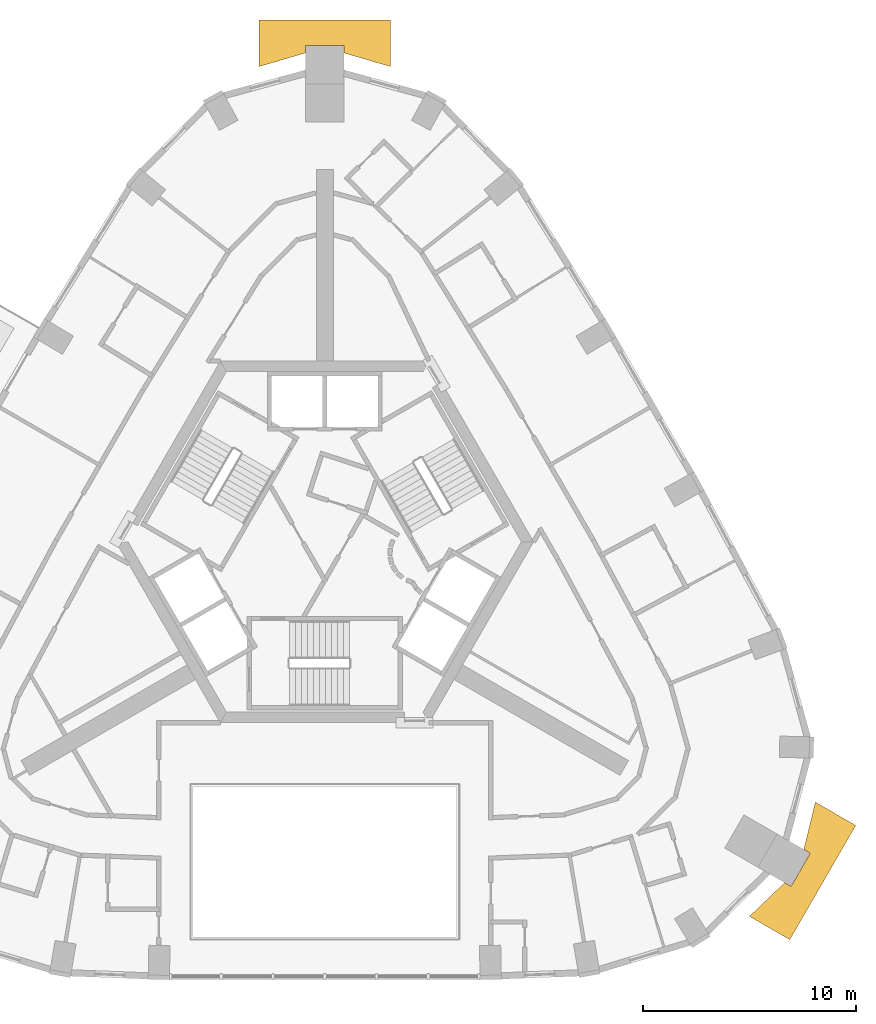
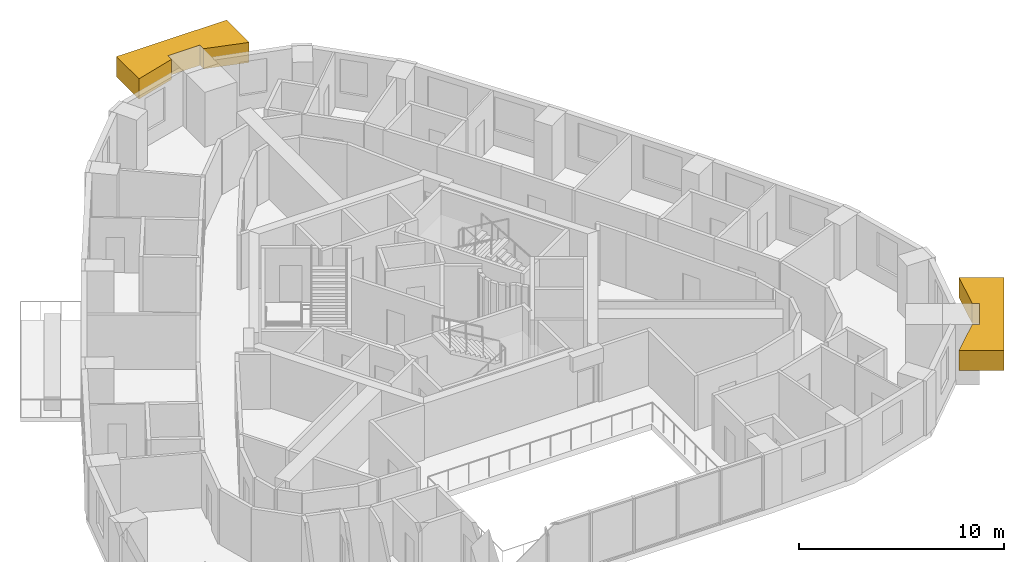
# One storey, part 11 of 11: 2 coverings.
"""IFC4 building model written with IfcOpenShell, lengths in metres."""

from ifc_helpers import new_model, si_unit, direction, frame, origin, place, context, subcontext, project, spatial, polyline, outline, extrude, material, type_object, element, save


model = new_model("IFC4")

# Units and contexts
model_context = context("Model", 3, precision=1e-05, world=origin(), true_north=direction((0.0, 1.0)))
body_context = subcontext(model_context, "Body", "Model", "MODEL_VIEW")
ifc_project = project(units=[si_unit("LENGTHUNIT", "METRE"), si_unit("AREAUNIT", "SQUARE_METRE"), si_unit("VOLUMEUNIT", "CUBIC_METRE"), si_unit("PLANEANGLEUNIT", "RADIAN"), si_unit("MASSUNIT", "GRAM", prefix="KILO")], contexts=[model_context])

# Site, building, storey
site_placement = place(None, origin())
site = spatial("IfcSite", under=ifc_project, at=site_placement, CompositionType="ELEMENT")
building_placement = place(site_placement, origin())
building = spatial("IfcBuilding", under=site, at=building_placement, Name="Entoto Arch Interchange Tower", CompositionType="ELEMENT")
storey_placement = place(building_placement, frame((0.0, 0.0, 304.39990234375)))
storey = spatial("IfcBuildingStorey", under=building, at=storey_placement, Name="L71", CompositionType="ELEMENT", Elevation=304.39990234375)

# Coverings
ifc_material = material(Name="Board-marked precast concrete C50/60", Category="concrete")
covering_type = type_object("IfcCoveringType", Name="PRECAST FRAME COURSE", PredefinedType="CLADDING", material=ifc_material)
covering_1_placement = place(storey_placement, frame((0.0, 0.0, 2.06005859375)))
element("IfcCovering", 1, at=covering_1_placement, inside=storey, type_object=covering_type, Name="Corner pilaster head SE L69-L71", PredefinedType="CLADDING", context=body_context, shape_type="SweptSolid", body=[
    extrude(outline(polyline([(24.952880859375, -10.825927734375), (21.85302734375, -16.196044921875), (19.9541015625, -15.10009765625), (21.612060546875, -13.51611328125), (21.9130859375, -13.68994140625), (22.81298828125, -12.132080078125), (22.510986328125, -11.95703125), (23.053955078125, -9.72998046875), (24.952880859375, -10.825927734375)])), origin(), (0.0, 0.0, 1.0), 1.199951171875),
])
covering_2_placement = place(storey_placement, frame((0.0, 0.0, 2.06005859375)))
element("IfcCovering", 2, at=covering_2_placement, inside=storey, type_object=covering_type, Name="Corner pilaster head N L69-L71", PredefinedType="CLADDING", context=body_context, shape_type="SweptSolid", body=[
    extrude(outline(polyline([(-3.10009765625, 27.02294921875), (3.10009765625, 27.02294921875), (3.10009765625, 24.830078125), (0.89990234375, 25.47412109375), (0.89990234375, 25.822998046875), (-0.89990234375, 25.822998046875), (-0.89990234375, 25.47412109375), (-3.10009765625, 24.830078125), (-3.10009765625, 27.02294921875)])), origin(), (0.0, 0.0, 1.0), 1.199951171875),
])

save(model, "model.ifc")
